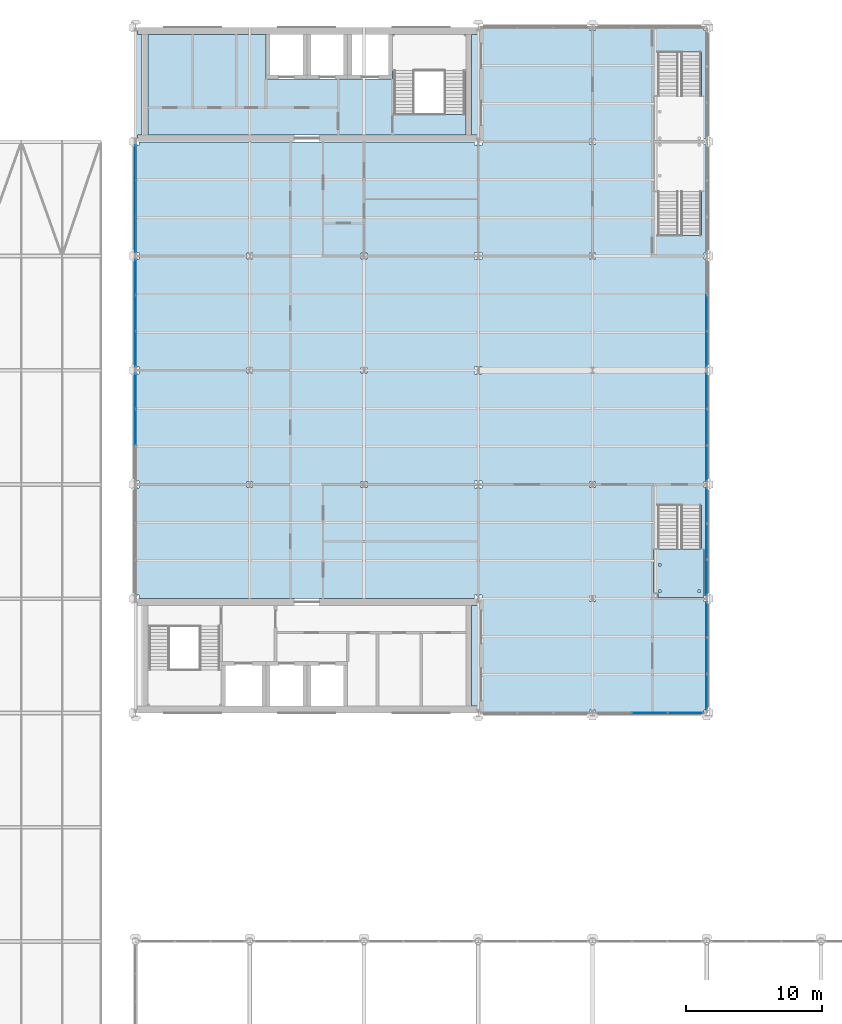
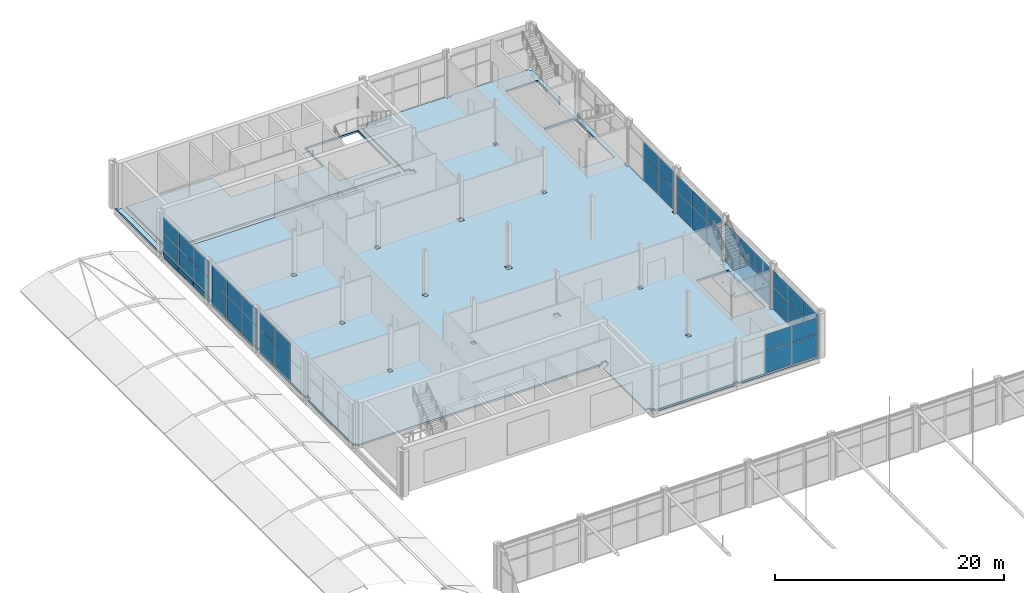
# One storey, part 148 of 167: 45 plates, 4 slabs, 10 elements without a shape of their own.
"""IFC4 building model written with IfcOpenShell, lengths in metres."""

from ifc_helpers import new_model, si_unit, direction, frame, origin, origin_2d, place, context, subcontext, project, spatial, polyline, rectangle, outline, extrude, material, layer, layer_set, type_object, element, aggregate, save


model = new_model("IFC4")

# Units and contexts
model_context = context("Model", 3, precision=1e-05, world=origin(), true_north=direction((0.0, 1.0)))
body_context = subcontext(model_context, "Body", "Model", "MODEL_VIEW")
ifc_project = project(units=[si_unit("LENGTHUNIT", "METRE"), si_unit("AREAUNIT", "SQUARE_METRE"), si_unit("VOLUMEUNIT", "CUBIC_METRE"), si_unit("PLANEANGLEUNIT", "RADIAN"), si_unit("MASSUNIT", "GRAM", prefix="KILO")], contexts=[model_context])

# Site, building, storey
site_placement = place(None, origin())
site = spatial("IfcSite", under=ifc_project, at=site_placement, CompositionType="ELEMENT")
building_placement = place(site_placement, origin())
building = spatial("IfcBuilding", under=site, at=building_placement, Name="Catenary Quay Ferry Terminal", CompositionType="ELEMENT")
storey_placement = place(building_placement, frame((0.0, 0.0, 6.0)))
storey = spatial("IfcBuildingStorey", under=building, at=storey_placement, Name="L01", CompositionType="ELEMENT", Elevation=6.0)

# Slabs
ifc_material_1 = material(Name="Concrete C35/45", Category="concrete")
ifc_layer_1 = layer(ifc_material_1, 0.199951171875)
ifc_layer_set_1 = layer_set([ifc_layer_1], Name="Composite floor slab 200")
slab_type_1 = type_object("IfcSlabType", Name="Composite floor slab 200", PredefinedType="FLOOR", material=ifc_layer_set_1)
slab_1_placement = place(storey_placement, frame((0.0, 0.0, -0.199951171875)))
element("IfcSlab", 1, at=slab_1_placement, inside=storey, type_object=slab_type_1, Name="L01 podium floor slab", PredefinedType="FLOOR", context=body_context, shape_type="SweptSolid", body=[
    extrude(outline(polyline([(67.199951171875, 159.81005859375), (66.989990234375, 159.81005859375), (66.989990234375, 159.60009765625), (59.010009765625, 159.60009765625), (59.010009765625, 159.81005859375), (58.590087890625, 159.81005859375), (58.590087890625, 159.60009765625), (50.659912109375, 159.60009765625), (50.659912109375, 159.860107421875), (50.403076171875, 159.860107421875), (50.403076171875, 160.110107421875), (49.909912109375, 160.110107421875), (49.909912109375, 167.489990234375), (50.403076171875, 167.489990234375), (50.403076171875, 167.739990234375), (50.659912109375, 167.739990234375), (50.659912109375, 168.260009765625), (50.139892578125, 168.260009765625), (50.139892578125, 168.010009765625), (25.4599609375, 168.010009765625), (25.4599609375, 168.260009765625), (25.199951171875, 168.260009765625), (25.199951171875, 176.139892578125), (25.4599609375, 176.139892578125), (25.4599609375, 176.659912109375), (25.199951171875, 176.659912109375), (25.199951171875, 184.5400390625), (25.4599609375, 184.5400390625), (25.4599609375, 185.06005859375), (25.199951171875, 185.06005859375), (25.199951171875, 192.93994140625), (25.4599609375, 192.93994140625), (25.4599609375, 193.4599609375), (25.199951171875, 193.4599609375), (25.199951171875, 201.340087890625), (25.4599609375, 201.340087890625), (25.4599609375, 201.590087890625), (50.139892578125, 201.590087890625), (50.139892578125, 201.340087890625), (50.659912109375, 201.340087890625), (50.659912109375, 201.860107421875), (50.403076171875, 201.860107421875), (50.403076171875, 202.110107421875), (49.909912109375, 202.110107421875), (49.909912109375, 209.489990234375), (50.403076171875, 209.489990234375), (50.403076171875, 209.739990234375), (50.659912109375, 209.739990234375), (50.659912109375, 210.0), (58.590087890625, 210.0), (58.590087890625, 209.7900390625), (59.010009765625, 209.7900390625), (59.010009765625, 210.0), (66.989990234375, 210.0), (66.989990234375, 209.7900390625), (67.199951171875, 209.7900390625), (67.199951171875, 201.81005859375), (66.989990234375, 201.81005859375), (66.989990234375, 201.389892578125), (67.199951171875, 201.389892578125), (67.199951171875, 193.409912109375), (66.989990234375, 193.409912109375), (66.989990234375, 192.989990234375), (67.199951171875, 192.989990234375), (67.199951171875, 185.010009765625), (66.989990234375, 185.010009765625), (66.989990234375, 184.590087890625), (67.199951171875, 184.590087890625), (67.199951171875, 176.610107421875), (66.989990234375, 176.610107421875), (66.989990234375, 176.18994140625), (67.199951171875, 176.18994140625), (67.199951171875, 168.2099609375), (66.989990234375, 168.2099609375), (66.989990234375, 167.7900390625), (67.199951171875, 167.7900390625), (67.199951171875, 159.81005859375)]), holes=[polyline([(33.386474609375, 176.1865234375), (33.8134765625, 176.1865234375), (33.8134765625, 176.613525390625), (33.386474609375, 176.613525390625), (33.386474609375, 176.1865234375)]), polyline([(33.386474609375, 184.58642578125), (33.8134765625, 184.58642578125), (33.8134765625, 185.013427734375), (33.386474609375, 185.013427734375), (33.386474609375, 184.58642578125)]), polyline([(33.386474609375, 192.986572265625), (33.8134765625, 192.986572265625), (33.8134765625, 193.41357421875), (33.386474609375, 193.41357421875), (33.386474609375, 192.986572265625)]), polyline([(41.78662109375, 176.1865234375), (42.21337890625, 176.1865234375), (42.21337890625, 176.613525390625), (41.78662109375, 176.613525390625), (41.78662109375, 176.1865234375)]), polyline([(50.139892578125, 176.139892578125), (50.659912109375, 176.139892578125), (50.659912109375, 176.659912109375), (50.139892578125, 176.659912109375), (50.139892578125, 176.139892578125)]), polyline([(50.139892578125, 184.5400390625), (50.659912109375, 184.5400390625), (50.659912109375, 185.06005859375), (50.139892578125, 185.06005859375), (50.139892578125, 184.5400390625)]), polyline([(41.78662109375, 184.58642578125), (42.21337890625, 184.58642578125), (42.21337890625, 185.013427734375), (41.78662109375, 185.013427734375), (41.78662109375, 184.58642578125)]), polyline([(42.21337890625, 192.986572265625), (42.21337890625, 193.41357421875), (41.78662109375, 193.41357421875), (41.78662109375, 192.986572265625), (42.21337890625, 192.986572265625)]), polyline([(50.139892578125, 192.93994140625), (50.659912109375, 192.93994140625), (50.659912109375, 193.4599609375), (50.139892578125, 193.4599609375), (50.139892578125, 192.93994140625)]), polyline([(58.590087890625, 201.389892578125), (59.010009765625, 201.389892578125), (59.010009765625, 201.81005859375), (58.590087890625, 201.81005859375), (58.590087890625, 201.389892578125)]), polyline([(58.590087890625, 167.7900390625), (59.010009765625, 167.7900390625), (59.010009765625, 168.2099609375), (58.590087890625, 168.2099609375), (58.590087890625, 167.7900390625)]), polyline([(63.60009765625, 168.39990234375), (66.800048828125, 168.39990234375), (66.800048828125, 174.89990234375), (63.60009765625, 174.89990234375), (63.60009765625, 168.39990234375)]), polyline([(58.590087890625, 176.18994140625), (59.010009765625, 176.18994140625), (59.010009765625, 176.610107421875), (58.590087890625, 176.610107421875), (58.590087890625, 176.18994140625)]), polyline([(58.590087890625, 192.989990234375), (59.010009765625, 192.989990234375), (59.010009765625, 193.409912109375), (58.590087890625, 193.409912109375), (58.590087890625, 192.989990234375)]), polyline([(63.60009765625, 194.699951171875), (66.800048828125, 194.699951171875), (66.800048828125, 201.5), (63.60009765625, 201.5), (63.60009765625, 194.699951171875)]), polyline([(63.60009765625, 201.699951171875), (66.800048828125, 201.699951171875), (66.800048828125, 208.199951171875), (63.60009765625, 208.199951171875), (63.60009765625, 201.699951171875)])]), origin(), (0.0, 0.0, 1.0), 0.199951171875),
])
slab_2_placement = place(storey_placement, frame((0.0, 0.0, -0.199951171875)))
element("IfcSlab", 2, at=slab_2_placement, inside=storey, type_object=slab_type_1, Name="L01 podium floor slab", PredefinedType="FLOOR", context=body_context, shape_type="SweptSolid", body=[
    extrude(outline(polyline([(25.199951171875, 209.739990234375), (25.340087890625, 209.739990234375), (25.340087890625, 209.489990234375), (25.68994140625, 209.489990234375), (25.68994140625, 202.110107421875), (25.340087890625, 202.110107421875), (25.340087890625, 201.860107421875), (25.199951171875, 201.860107421875), (25.199951171875, 209.739990234375)])), origin(), (0.0, 0.0, 1.0), 0.199951171875),
])
slab_3_placement = place(storey_placement, frame((0.0, 0.0, -0.199951171875)))
element("IfcSlab", 3, at=slab_3_placement, inside=storey, type_object=slab_type_1, Name="L01 podium floor slab", PredefinedType="FLOOR", context=body_context, shape_type="SweptSolid", body=[
    extrude(outline(polyline([(49.489990234375, 209.489990234375), (49.489990234375, 202.110107421875), (26.110107421875, 202.110107421875), (26.110107421875, 209.489990234375), (34.800048828125, 209.489990234375), (34.800048828125, 206.199951171875), (37.800048828125, 206.199951171875), (40.800048828125, 206.199951171875), (44.10009765625, 206.199951171875), (44.10009765625, 209.489990234375), (49.489990234375, 209.489990234375)]), holes=[polyline([(44.199951171875, 203.60009765625), (49.39990234375, 203.60009765625), (49.39990234375, 209.39990234375), (44.199951171875, 209.39990234375), (44.199951171875, 203.60009765625)])]), origin(), (0.0, 0.0, 1.0), 0.199951171875),
])

# Curtain wall, plates
ifc_material_2 = material(Name="Aluminium and glass", Category="aluminium")
curtain_wall_type_1 = type_object("IfcCurtainWallType", Name="CWW2", PredefinedType="NOTDEFINED", material=ifc_material_2)
curtain_wall_1_placement = place(storey_placement, origin())
curtain_wall_1 = element("IfcCurtainWall", 4, at=curtain_wall_1_placement, inside=storey, type_object=curtain_wall_type_1, Name="Wing curtain wall CW116", PredefinedType="NOTDEFINED")
ifc_material_3 = material(Name="Glass", Category="glass")
ifc_layer_2 = layer(ifc_material_3, 0.035888671875)
ifc_layer_set_2 = layer_set([ifc_layer_2], Name="PN4")
plate_type_1 = type_object("IfcPlateType", Name="PN4", PredefinedType="CURTAIN_PANEL", material=ifc_layer_set_2)
plate_1_placement = place(storey_placement, frame((67.199951171875, 161.15087890625, 0.06005859375), z_axis=(0.0, 0.0, 1.0), x_axis=(0.0, 1.0, 0.0)))
plate_1 = element("IfcPlate", 5, at=plate_1_placement, type_object=plate_type_1, Name="CW116 panel 1.1", PredefinedType="CURTAIN_PANEL", context=body_context, shape_type="SweptSolid", body=[
    extrude(rectangle(XDim=2.561767578125, YDim=0.035888671875, at=origin_2d()), origin(), (0.0, 0.0, 1.0), 2.31005859375),
])
plate_2_placement = place(storey_placement, frame((67.199951171875, 161.15087890625, 2.429931640625), z_axis=(0.0, 0.0, 1.0), x_axis=(0.0, 1.0, 0.0)))
plate_2 = element("IfcPlate", 6, at=plate_2_placement, type_object=plate_type_1, Name="CW116 panel 1.2", PredefinedType="CURTAIN_PANEL", context=body_context, shape_type="SweptSolid", body=[
    extrude(rectangle(XDim=2.561767578125, YDim=0.035888671875, at=origin_2d()), origin(), (0.0, 0.0, 1.0), 1.7099609375),
])
plate_3_placement = place(storey_placement, frame((67.199951171875, 163.800048828125, 0.06005859375), z_axis=(0.0, 0.0, 1.0), x_axis=(0.0, 1.0, 0.0)))
plate_3 = element("IfcPlate", 7, at=plate_3_placement, type_object=plate_type_1, Name="CW116 panel 2.1", PredefinedType="CURTAIN_PANEL", context=body_context, shape_type="SweptSolid", body=[
    extrude(rectangle(XDim=2.5966796875, YDim=0.035888671875, at=origin_2d()), origin(), (0.0, 0.0, 1.0), 2.31005859375),
])
plate_4_placement = place(storey_placement, frame((67.199951171875, 163.800048828125, 2.429931640625), z_axis=(0.0, 0.0, 1.0), x_axis=(0.0, 1.0, 0.0)))
plate_4 = element("IfcPlate", 8, at=plate_4_placement, type_object=plate_type_1, Name="CW116 panel 2.2", PredefinedType="CURTAIN_PANEL", context=body_context, shape_type="SweptSolid", body=[
    extrude(rectangle(XDim=2.5966796875, YDim=0.035888671875, at=origin_2d()), origin(), (0.0, 0.0, 1.0), 1.7099609375),
])
plate_5_placement = place(storey_placement, frame((67.199951171875, 166.44921875, 0.06005859375), z_axis=(0.0, 0.0, 1.0), x_axis=(0.0, 1.0, 0.0)))
plate_5 = element("IfcPlate", 9, at=plate_5_placement, type_object=plate_type_1, Name="CW116 panel 3.1", PredefinedType="CURTAIN_PANEL", context=body_context, shape_type="SweptSolid", body=[
    extrude(rectangle(XDim=2.561767578125, YDim=0.035888671875, at=origin_2d()), origin(), (0.0, 0.0, 1.0), 2.31005859375),
])
plate_6_placement = place(storey_placement, frame((67.199951171875, 166.44921875, 2.429931640625), z_axis=(0.0, 0.0, 1.0), x_axis=(0.0, 1.0, 0.0)))
plate_6 = element("IfcPlate", 10, at=plate_6_placement, type_object=plate_type_1, Name="CW116 panel 3.2", PredefinedType="CURTAIN_PANEL", context=body_context, shape_type="SweptSolid", body=[
    extrude(rectangle(XDim=2.561767578125, YDim=0.035888671875, at=origin_2d()), origin(), (0.0, 0.0, 1.0), 1.7099609375),
])
aggregate(curtain_wall_1, [plate_1, plate_2, plate_3, plate_4, plate_5, plate_6])

curtain_wall_2_placement = place(storey_placement, origin())
curtain_wall_2 = element("IfcCurtainWall", 11, at=curtain_wall_2_placement, inside=storey, type_object=curtain_wall_type_1, Name="Wing curtain wall CW117", PredefinedType="NOTDEFINED")
plate_7_placement = place(storey_placement, frame((67.199951171875, 169.55078125, 0.06005859375), z_axis=(0.0, 0.0, 1.0), x_axis=(0.0, 1.0, 0.0)))
plate_7 = element("IfcPlate", 12, at=plate_7_placement, type_object=plate_type_1, Name="CW117 panel 1.1", PredefinedType="CURTAIN_PANEL", context=body_context, shape_type="SweptSolid", body=[
    extrude(rectangle(XDim=2.561767578125, YDim=0.035888671875, at=origin_2d()), origin(), (0.0, 0.0, 1.0), 2.31005859375),
])
plate_8_placement = place(storey_placement, frame((67.199951171875, 169.55078125, 2.429931640625), z_axis=(0.0, 0.0, 1.0), x_axis=(0.0, 1.0, 0.0)))
plate_8 = element("IfcPlate", 13, at=plate_8_placement, type_object=plate_type_1, Name="CW117 panel 1.2", PredefinedType="CURTAIN_PANEL", context=body_context, shape_type="SweptSolid", body=[
    extrude(rectangle(XDim=2.561767578125, YDim=0.035888671875, at=origin_2d()), origin(), (0.0, 0.0, 1.0), 1.7099609375),
])
plate_9_placement = place(storey_placement, frame((67.199951171875, 172.199951171875, 0.06005859375), z_axis=(0.0, 0.0, 1.0), x_axis=(0.0, 1.0, 0.0)))
plate_9 = element("IfcPlate", 14, at=plate_9_placement, type_object=plate_type_1, Name="CW117 panel 2.1", PredefinedType="CURTAIN_PANEL", context=body_context, shape_type="SweptSolid", body=[
    extrude(rectangle(XDim=2.5966796875, YDim=0.035888671875, at=origin_2d()), origin(), (0.0, 0.0, 1.0), 2.31005859375),
])
plate_10_placement = place(storey_placement, frame((67.199951171875, 172.199951171875, 2.429931640625), z_axis=(0.0, 0.0, 1.0), x_axis=(0.0, 1.0, 0.0)))
plate_10 = element("IfcPlate", 15, at=plate_10_placement, type_object=plate_type_1, Name="CW117 panel 2.2", PredefinedType="CURTAIN_PANEL", context=body_context, shape_type="SweptSolid", body=[
    extrude(rectangle(XDim=2.5966796875, YDim=0.035888671875, at=origin_2d()), origin(), (0.0, 0.0, 1.0), 1.7099609375),
])
plate_11_placement = place(storey_placement, frame((67.199951171875, 174.84912109375, 0.06005859375), z_axis=(0.0, 0.0, 1.0), x_axis=(0.0, 1.0, 0.0)))
plate_11 = element("IfcPlate", 16, at=plate_11_placement, type_object=plate_type_1, Name="CW117 panel 3.1", PredefinedType="CURTAIN_PANEL", context=body_context, shape_type="SweptSolid", body=[
    extrude(rectangle(XDim=2.561767578125, YDim=0.035888671875, at=origin_2d()), origin(), (0.0, 0.0, 1.0), 2.31005859375),
])
plate_12_placement = place(storey_placement, frame((67.199951171875, 174.84912109375, 2.429931640625), z_axis=(0.0, 0.0, 1.0), x_axis=(0.0, 1.0, 0.0)))
plate_12 = element("IfcPlate", 17, at=plate_12_placement, type_object=plate_type_1, Name="CW117 panel 3.2", PredefinedType="CURTAIN_PANEL", context=body_context, shape_type="SweptSolid", body=[
    extrude(rectangle(XDim=2.561767578125, YDim=0.035888671875, at=origin_2d()), origin(), (0.0, 0.0, 1.0), 1.7099609375),
])
aggregate(curtain_wall_2, [plate_7, plate_8, plate_9, plate_10, plate_11, plate_12])

curtain_wall_3_placement = place(storey_placement, origin())
curtain_wall_3 = element("IfcCurtainWall", 18, at=curtain_wall_3_placement, inside=storey, type_object=curtain_wall_type_1, Name="Wing curtain wall CW118", PredefinedType="NOTDEFINED")
plate_13_placement = place(storey_placement, frame((67.199951171875, 177.950927734375, 0.06005859375), z_axis=(0.0, 0.0, 1.0), x_axis=(0.0, 1.0, 0.0)))
plate_13 = element("IfcPlate", 19, at=plate_13_placement, type_object=plate_type_1, Name="CW118 panel 1.1", PredefinedType="CURTAIN_PANEL", context=body_context, shape_type="SweptSolid", body=[
    extrude(rectangle(XDim=2.561767578125, YDim=0.035888671875, at=origin_2d()), origin(), (0.0, 0.0, 1.0), 2.31005859375),
])
plate_14_placement = place(storey_placement, frame((67.199951171875, 177.950927734375, 2.429931640625), z_axis=(0.0, 0.0, 1.0), x_axis=(0.0, 1.0, 0.0)))
plate_14 = element("IfcPlate", 20, at=plate_14_placement, type_object=plate_type_1, Name="CW118 panel 1.2", PredefinedType="CURTAIN_PANEL", context=body_context, shape_type="SweptSolid", body=[
    extrude(rectangle(XDim=2.561767578125, YDim=0.035888671875, at=origin_2d()), origin(), (0.0, 0.0, 1.0), 1.7099609375),
])
plate_15_placement = place(storey_placement, frame((67.199951171875, 180.60009765625, 0.06005859375), z_axis=(0.0, 0.0, 1.0), x_axis=(0.0, 1.0, 0.0)))
plate_15 = element("IfcPlate", 21, at=plate_15_placement, type_object=plate_type_1, Name="CW118 panel 2.1", PredefinedType="CURTAIN_PANEL", context=body_context, shape_type="SweptSolid", body=[
    extrude(rectangle(XDim=2.5966796875, YDim=0.035888671875, at=origin_2d()), origin(), (0.0, 0.0, 1.0), 2.31005859375),
])
plate_16_placement = place(storey_placement, frame((67.199951171875, 180.60009765625, 2.429931640625), z_axis=(0.0, 0.0, 1.0), x_axis=(0.0, 1.0, 0.0)))
plate_16 = element("IfcPlate", 22, at=plate_16_placement, type_object=plate_type_1, Name="CW118 panel 2.2", PredefinedType="CURTAIN_PANEL", context=body_context, shape_type="SweptSolid", body=[
    extrude(rectangle(XDim=2.5966796875, YDim=0.035888671875, at=origin_2d()), origin(), (0.0, 0.0, 1.0), 1.7099609375),
])
plate_17_placement = place(storey_placement, frame((67.199951171875, 183.249267578125, 0.06005859375), z_axis=(0.0, 0.0, 1.0), x_axis=(0.0, 1.0, 0.0)))
plate_17 = element("IfcPlate", 23, at=plate_17_placement, type_object=plate_type_1, Name="CW118 panel 3.1", PredefinedType="CURTAIN_PANEL", context=body_context, shape_type="SweptSolid", body=[
    extrude(rectangle(XDim=2.561767578125, YDim=0.035888671875, at=origin_2d()), origin(), (0.0, 0.0, 1.0), 2.31005859375),
])
plate_18_placement = place(storey_placement, frame((67.199951171875, 183.249267578125, 2.429931640625), z_axis=(0.0, 0.0, 1.0), x_axis=(0.0, 1.0, 0.0)))
plate_18 = element("IfcPlate", 24, at=plate_18_placement, type_object=plate_type_1, Name="CW118 panel 3.2", PredefinedType="CURTAIN_PANEL", context=body_context, shape_type="SweptSolid", body=[
    extrude(rectangle(XDim=2.561767578125, YDim=0.035888671875, at=origin_2d()), origin(), (0.0, 0.0, 1.0), 1.7099609375),
])
aggregate(curtain_wall_3, [plate_13, plate_14, plate_15, plate_16, plate_17, plate_18])

curtain_wall_4_placement = place(storey_placement, origin())
curtain_wall_4 = element("IfcCurtainWall", 25, at=curtain_wall_4_placement, inside=storey, type_object=curtain_wall_type_1, Name="Wing curtain wall CW119", PredefinedType="NOTDEFINED")
plate_19_placement = place(storey_placement, frame((67.199951171875, 186.350830078125, 0.06005859375), z_axis=(0.0, 0.0, 1.0), x_axis=(0.0, 1.0, 0.0)))
plate_19 = element("IfcPlate", 26, at=plate_19_placement, type_object=plate_type_1, Name="CW119 panel 1.1", PredefinedType="CURTAIN_PANEL", context=body_context, shape_type="SweptSolid", body=[
    extrude(rectangle(XDim=2.561767578125, YDim=0.035888671875, at=origin_2d()), origin(), (0.0, 0.0, 1.0), 2.31005859375),
])
plate_20_placement = place(storey_placement, frame((67.199951171875, 186.350830078125, 2.429931640625), z_axis=(0.0, 0.0, 1.0), x_axis=(0.0, 1.0, 0.0)))
plate_20 = element("IfcPlate", 27, at=plate_20_placement, type_object=plate_type_1, Name="CW119 panel 1.2", PredefinedType="CURTAIN_PANEL", context=body_context, shape_type="SweptSolid", body=[
    extrude(rectangle(XDim=2.561767578125, YDim=0.035888671875, at=origin_2d()), origin(), (0.0, 0.0, 1.0), 1.7099609375),
])
plate_21_placement = place(storey_placement, frame((67.199951171875, 189.0, 0.06005859375), z_axis=(0.0, 0.0, 1.0), x_axis=(0.0, 1.0, 0.0)))
plate_21 = element("IfcPlate", 28, at=plate_21_placement, type_object=plate_type_1, Name="CW119 panel 2.1", PredefinedType="CURTAIN_PANEL", context=body_context, shape_type="SweptSolid", body=[
    extrude(rectangle(XDim=2.5966796875, YDim=0.035888671875, at=origin_2d()), origin(), (0.0, 0.0, 1.0), 2.31005859375),
])
plate_22_placement = place(storey_placement, frame((67.199951171875, 189.0, 2.429931640625), z_axis=(0.0, 0.0, 1.0), x_axis=(0.0, 1.0, 0.0)))
plate_22 = element("IfcPlate", 29, at=plate_22_placement, type_object=plate_type_1, Name="CW119 panel 2.2", PredefinedType="CURTAIN_PANEL", context=body_context, shape_type="SweptSolid", body=[
    extrude(rectangle(XDim=2.5966796875, YDim=0.035888671875, at=origin_2d()), origin(), (0.0, 0.0, 1.0), 1.7099609375),
])
aggregate(curtain_wall_4, [plate_19, plate_20, plate_21, plate_22])

curtain_wall_5_placement = place(storey_placement, origin())
curtain_wall_5 = element("IfcCurtainWall", 30, at=curtain_wall_5_placement, inside=storey, type_object=curtain_wall_type_1, Name="Wing curtain wall CW125", PredefinedType="NOTDEFINED")
plate_23_placement = place(storey_placement, frame((25.199951171875, 180.60009765625, 0.06005859375), z_axis=(0.0, 0.0, 1.0), x_axis=(0.0, 1.0, 0.0)))
plate_23 = element("IfcPlate", 31, at=plate_23_placement, type_object=plate_type_1, Name="CW125 panel 2.1", PredefinedType="CURTAIN_PANEL", context=body_context, shape_type="SweptSolid", body=[
    extrude(rectangle(XDim=2.5966796875, YDim=0.035888671875, at=origin_2d()), origin(), (0.0, 0.0, 1.0), 2.31005859375),
])
plate_24_placement = place(storey_placement, frame((25.199951171875, 180.60009765625, 2.429931640625), z_axis=(0.0, 0.0, 1.0), x_axis=(0.0, 1.0, 0.0)))
plate_24 = element("IfcPlate", 32, at=plate_24_placement, type_object=plate_type_1, Name="CW125 panel 2.2", PredefinedType="CURTAIN_PANEL", context=body_context, shape_type="SweptSolid", body=[
    extrude(rectangle(XDim=2.5966796875, YDim=0.035888671875, at=origin_2d()), origin(), (0.0, 0.0, 1.0), 1.7099609375),
])
plate_25_placement = place(storey_placement, frame((25.199951171875, 183.249267578125, 0.06005859375), z_axis=(0.0, 0.0, 1.0), x_axis=(0.0, 1.0, 0.0)))
plate_25 = element("IfcPlate", 33, at=plate_25_placement, type_object=plate_type_1, Name="CW125 panel 3.1", PredefinedType="CURTAIN_PANEL", context=body_context, shape_type="SweptSolid", body=[
    extrude(rectangle(XDim=2.561767578125, YDim=0.035888671875, at=origin_2d()), origin(), (0.0, 0.0, 1.0), 2.31005859375),
])
plate_26_placement = place(storey_placement, frame((25.199951171875, 183.249267578125, 2.429931640625), z_axis=(0.0, 0.0, 1.0), x_axis=(0.0, 1.0, 0.0)))
plate_26 = element("IfcPlate", 34, at=plate_26_placement, type_object=plate_type_1, Name="CW125 panel 3.2", PredefinedType="CURTAIN_PANEL", context=body_context, shape_type="SweptSolid", body=[
    extrude(rectangle(XDim=2.561767578125, YDim=0.035888671875, at=origin_2d()), origin(), (0.0, 0.0, 1.0), 1.7099609375),
])
aggregate(curtain_wall_5, [plate_23, plate_24, plate_25, plate_26])

curtain_wall_6_placement = place(storey_placement, origin())
curtain_wall_6 = element("IfcCurtainWall", 35, at=curtain_wall_6_placement, inside=storey, type_object=curtain_wall_type_1, Name="Wing curtain wall CW126", PredefinedType="NOTDEFINED")
plate_27_placement = place(storey_placement, frame((25.199951171875, 186.350830078125, 0.06005859375), z_axis=(0.0, 0.0, 1.0), x_axis=(0.0, 1.0, 0.0)))
plate_27 = element("IfcPlate", 36, at=plate_27_placement, type_object=plate_type_1, Name="CW126 panel 1.1", PredefinedType="CURTAIN_PANEL", context=body_context, shape_type="SweptSolid", body=[
    extrude(rectangle(XDim=2.561767578125, YDim=0.035888671875, at=origin_2d()), origin(), (0.0, 0.0, 1.0), 2.31005859375),
])
plate_28_placement = place(storey_placement, frame((25.199951171875, 186.350830078125, 2.429931640625), z_axis=(0.0, 0.0, 1.0), x_axis=(0.0, 1.0, 0.0)))
plate_28 = element("IfcPlate", 37, at=plate_28_placement, type_object=plate_type_1, Name="CW126 panel 1.2", PredefinedType="CURTAIN_PANEL", context=body_context, shape_type="SweptSolid", body=[
    extrude(rectangle(XDim=2.561767578125, YDim=0.035888671875, at=origin_2d()), origin(), (0.0, 0.0, 1.0), 1.7099609375),
])
plate_29_placement = place(storey_placement, frame((25.199951171875, 189.0, 0.06005859375), z_axis=(0.0, 0.0, 1.0), x_axis=(0.0, 1.0, 0.0)))
plate_29 = element("IfcPlate", 38, at=plate_29_placement, type_object=plate_type_1, Name="CW126 panel 2.1", PredefinedType="CURTAIN_PANEL", context=body_context, shape_type="SweptSolid", body=[
    extrude(rectangle(XDim=2.5966796875, YDim=0.035888671875, at=origin_2d()), origin(), (0.0, 0.0, 1.0), 2.31005859375),
])
plate_30_placement = place(storey_placement, frame((25.199951171875, 189.0, 2.429931640625), z_axis=(0.0, 0.0, 1.0), x_axis=(0.0, 1.0, 0.0)))
plate_30 = element("IfcPlate", 39, at=plate_30_placement, type_object=plate_type_1, Name="CW126 panel 2.2", PredefinedType="CURTAIN_PANEL", context=body_context, shape_type="SweptSolid", body=[
    extrude(rectangle(XDim=2.5966796875, YDim=0.035888671875, at=origin_2d()), origin(), (0.0, 0.0, 1.0), 1.7099609375),
])
plate_31_placement = place(storey_placement, frame((25.199951171875, 191.649169921875, 0.06005859375), z_axis=(0.0, 0.0, 1.0), x_axis=(0.0, 1.0, 0.0)))
plate_31 = element("IfcPlate", 40, at=plate_31_placement, type_object=plate_type_1, Name="CW126 panel 3.1", PredefinedType="CURTAIN_PANEL", context=body_context, shape_type="SweptSolid", body=[
    extrude(rectangle(XDim=2.561767578125, YDim=0.035888671875, at=origin_2d()), origin(), (0.0, 0.0, 1.0), 2.31005859375),
])
plate_32_placement = place(storey_placement, frame((25.199951171875, 191.649169921875, 2.429931640625), z_axis=(0.0, 0.0, 1.0), x_axis=(0.0, 1.0, 0.0)))
plate_32 = element("IfcPlate", 41, at=plate_32_placement, type_object=plate_type_1, Name="CW126 panel 3.2", PredefinedType="CURTAIN_PANEL", context=body_context, shape_type="SweptSolid", body=[
    extrude(rectangle(XDim=2.561767578125, YDim=0.035888671875, at=origin_2d()), origin(), (0.0, 0.0, 1.0), 1.7099609375),
])
aggregate(curtain_wall_6, [plate_27, plate_28, plate_29, plate_30, plate_31, plate_32])

curtain_wall_7_placement = place(storey_placement, origin())
curtain_wall_7 = element("IfcCurtainWall", 42, at=curtain_wall_7_placement, inside=storey, type_object=curtain_wall_type_1, Name="Wing curtain wall CW127", PredefinedType="NOTDEFINED")
plate_33_placement = place(storey_placement, frame((25.199951171875, 194.750732421875, 0.659912109375), z_axis=(0.0, 0.0, 1.0), x_axis=(0.0, 1.0, 0.0)))
plate_33 = element("IfcPlate", 43, at=plate_33_placement, type_object=plate_type_1, Name="CW127 panel 1.1", PredefinedType="CURTAIN_PANEL", context=body_context, shape_type="SweptSolid", body=[
    extrude(rectangle(XDim=2.561767578125, YDim=0.035888671875, at=origin_2d()), origin(), (0.0, 0.0, 1.0), 1.7099609375),
])
plate_34_placement = place(storey_placement, frame((25.199951171875, 194.750732421875, 2.429931640625), z_axis=(0.0, 0.0, 1.0), x_axis=(0.0, 1.0, 0.0)))
plate_34 = element("IfcPlate", 44, at=plate_34_placement, type_object=plate_type_1, Name="CW127 panel 1.2", PredefinedType="CURTAIN_PANEL", context=body_context, shape_type="SweptSolid", body=[
    extrude(rectangle(XDim=2.561767578125, YDim=0.035888671875, at=origin_2d()), origin(), (0.0, 0.0, 1.0), 1.7099609375),
])
plate_35_placement = place(storey_placement, frame((25.199951171875, 197.39990234375, 0.659912109375), z_axis=(0.0, 0.0, 1.0), x_axis=(0.0, 1.0, 0.0)))
plate_35 = element("IfcPlate", 45, at=plate_35_placement, type_object=plate_type_1, Name="CW127 panel 2.1", PredefinedType="CURTAIN_PANEL", context=body_context, shape_type="SweptSolid", body=[
    extrude(rectangle(XDim=2.5966796875, YDim=0.035888671875, at=origin_2d()), origin(), (0.0, 0.0, 1.0), 1.7099609375),
])
plate_36_placement = place(storey_placement, frame((25.199951171875, 197.39990234375, 2.429931640625), z_axis=(0.0, 0.0, 1.0), x_axis=(0.0, 1.0, 0.0)))
plate_36 = element("IfcPlate", 46, at=plate_36_placement, type_object=plate_type_1, Name="CW127 panel 2.2", PredefinedType="CURTAIN_PANEL", context=body_context, shape_type="SweptSolid", body=[
    extrude(rectangle(XDim=2.5966796875, YDim=0.035888671875, at=origin_2d()), origin(), (0.0, 0.0, 1.0), 1.7099609375),
])
plate_37_placement = place(storey_placement, frame((25.199951171875, 200.049072265625, 0.659912109375), z_axis=(0.0, 0.0, 1.0), x_axis=(0.0, 1.0, 0.0)))
plate_37 = element("IfcPlate", 47, at=plate_37_placement, type_object=plate_type_1, Name="CW127 panel 3.1", PredefinedType="CURTAIN_PANEL", context=body_context, shape_type="SweptSolid", body=[
    extrude(rectangle(XDim=2.561767578125, YDim=0.035888671875, at=origin_2d()), origin(), (0.0, 0.0, 1.0), 1.7099609375),
])
plate_38_placement = place(storey_placement, frame((25.199951171875, 200.049072265625, 2.429931640625), z_axis=(0.0, 0.0, 1.0), x_axis=(0.0, 1.0, 0.0)))
plate_38 = element("IfcPlate", 48, at=plate_38_placement, type_object=plate_type_1, Name="CW127 panel 3.2", PredefinedType="CURTAIN_PANEL", context=body_context, shape_type="SweptSolid", body=[
    extrude(rectangle(XDim=2.561767578125, YDim=0.035888671875, at=origin_2d()), origin(), (0.0, 0.0, 1.0), 1.7099609375),
])
aggregate(curtain_wall_7, [plate_33, plate_34, plate_35, plate_36, plate_37, plate_38])

curtain_wall_8_placement = place(storey_placement, origin())
curtain_wall_8 = element("IfcCurtainWall", 49, at=curtain_wall_8_placement, inside=storey, type_object=curtain_wall_type_1, Name="Wing curtain wall CW129", PredefinedType="NOTDEFINED")
plate_39_placement = place(storey_placement, frame((63.0, 159.60009765625, 0.06005859375), z_axis=(0.0, 0.0, 1.0), x_axis=(1.0, 0.0, 0.0)))
plate_39 = element("IfcPlate", 50, at=plate_39_placement, type_object=plate_type_1, Name="CW129 panel 2.1", PredefinedType="CURTAIN_PANEL", context=body_context, shape_type="SweptSolid", body=[
    extrude(rectangle(XDim=2.5966796875, YDim=0.035888671875, at=origin_2d()), origin(), (0.0, 0.0, 1.0), 2.31005859375),
])
plate_40_placement = place(storey_placement, frame((63.0, 159.60009765625, 2.429931640625), z_axis=(0.0, 0.0, 1.0), x_axis=(1.0, 0.0, 0.0)))
plate_40 = element("IfcPlate", 51, at=plate_40_placement, type_object=plate_type_1, Name="CW129 panel 2.2", PredefinedType="CURTAIN_PANEL", context=body_context, shape_type="SweptSolid", body=[
    extrude(rectangle(XDim=2.5966796875, YDim=0.035888671875, at=origin_2d()), origin(), (0.0, 0.0, 1.0), 1.7099609375),
])
plate_41_placement = place(storey_placement, frame((65.649169921875, 159.60009765625, 0.06005859375), z_axis=(0.0, 0.0, 1.0), x_axis=(1.0, 0.0, 0.0)))
plate_41 = element("IfcPlate", 52, at=plate_41_placement, type_object=plate_type_1, Name="CW129 panel 3.1", PredefinedType="CURTAIN_PANEL", context=body_context, shape_type="SweptSolid", body=[
    extrude(rectangle(XDim=2.561767578125, YDim=0.035888671875, at=origin_2d()), origin(), (0.0, 0.0, 1.0), 2.31005859375),
])
plate_42_placement = place(storey_placement, frame((65.649169921875, 159.60009765625, 2.429931640625), z_axis=(0.0, 0.0, 1.0), x_axis=(1.0, 0.0, 0.0)))
plate_42 = element("IfcPlate", 53, at=plate_42_placement, type_object=plate_type_1, Name="CW129 panel 3.2", PredefinedType="CURTAIN_PANEL", context=body_context, shape_type="SweptSolid", body=[
    extrude(rectangle(XDim=2.561767578125, YDim=0.035888671875, at=origin_2d()), origin(), (0.0, 0.0, 1.0), 1.7099609375),
])
aggregate(curtain_wall_8, [plate_39, plate_40, plate_41, plate_42])

ifc_material_4 = material(Name="Aluminium and glass", Category="aluminium")
curtain_wall_type_2 = type_object("IfcCurtainWallType", Name="CWW4", PredefinedType="NOTDEFINED", material=ifc_material_4)
curtain_wall_9_placement = place(storey_placement, origin())
curtain_wall_9 = element("IfcCurtainWall", 54, at=curtain_wall_9_placement, inside=storey, type_object=curtain_wall_type_2, Name="Wing base curtain wall CW174", PredefinedType="NOTDEFINED")
ifc_material_5 = material(Name="Ceramic tile facing on insulated backing")
ifc_layer_3 = layer(ifc_material_5, 0.14990234375)
ifc_layer_set_3 = layer_set([ifc_layer_3], Name="PN7")
plate_type_2 = type_object("IfcPlateType", Name="PN7", PredefinedType="CURTAIN_PANEL", material=ifc_layer_set_3)
plate_43_placement = place(storey_placement, frame((25.199951171875, 194.750732421875, 0.06005859375), z_axis=(0.0, 0.0, 1.0), x_axis=(0.0, 1.0, 0.0)))
plate_43 = element("IfcPlate", 55, at=plate_43_placement, type_object=plate_type_2, Name="CW174 panel 1.1", PredefinedType="CURTAIN_PANEL", context=body_context, shape_type="SweptSolid", body=[
    extrude(rectangle(XDim=2.561767578125, YDim=0.14990234375, at=origin_2d()), origin(), (0.0, 0.0, 1.0), 0.419921875),
])
plate_44_placement = place(storey_placement, frame((25.199951171875, 197.39990234375, 0.06005859375), z_axis=(0.0, 0.0, 1.0), x_axis=(0.0, 1.0, 0.0)))
plate_44 = element("IfcPlate", 56, at=plate_44_placement, type_object=plate_type_2, Name="CW174 panel 2.1", PredefinedType="CURTAIN_PANEL", context=body_context, shape_type="SweptSolid", body=[
    extrude(rectangle(XDim=2.5966796875, YDim=0.14990234375, at=origin_2d()), origin(), (0.0, 0.0, 1.0), 0.419921875),
])
plate_45_placement = place(storey_placement, frame((25.199951171875, 200.049072265625, 0.06005859375), z_axis=(0.0, 0.0, 1.0), x_axis=(0.0, 1.0, 0.0)))
plate_45 = element("IfcPlate", 57, at=plate_45_placement, type_object=plate_type_2, Name="CW174 panel 3.1", PredefinedType="CURTAIN_PANEL", context=body_context, shape_type="SweptSolid", body=[
    extrude(rectangle(XDim=2.561767578125, YDim=0.14990234375, at=origin_2d()), origin(), (0.0, 0.0, 1.0), 0.419921875),
])
aggregate(curtain_wall_9, [plate_43, plate_44, plate_45])

# Stair, slab
ifc_material_6 = material(Name="Concrete C35/45", Category="concrete")
stair_type = type_object("IfcStairType", Name="STX1500", PredefinedType="HALF_TURN_STAIR", material=ifc_material_6)
stair_placement = place(storey_placement, origin())
stair = element("IfcStair", 58, at=stair_placement, inside=storey, type_object=stair_type, Name="Stair HS3 L01 to L02", PredefinedType="HALF_TURN_STAIR")
ifc_material_7 = material(Name="Concrete C35/45", Category="concrete")
ifc_layer_4 = layer(ifc_material_7, 0.199951171875)
ifc_layer_set_4 = layer_set([ifc_layer_4], Name="SLX1500")
slab_type_2 = type_object("IfcSlabType", Name="SLX1500", PredefinedType="LANDING", material=ifc_layer_set_4)
slab_4_placement = place(storey_placement, frame((0.0, 0.0, 2.199951171875)))
slab_4 = element("IfcSlab", 59, at=slab_4_placement, type_object=slab_type_2, Name="HS3-L01 landing 1", PredefinedType="LANDING", context=body_context, shape_type="SweptSolid", body=[
    extrude(outline(polyline([(63.60009765625, 168.39990234375), (63.300048828125, 168.39990234375), (63.300048828125, 171.64990234375), (67.0, 171.64990234375), (67.0, 168.10009765625), (63.60009765625, 168.10009765625), (63.60009765625, 168.39990234375)]), holes=[polyline([(63.670166015625, 168.47021484375), (63.829833984375, 168.47021484375), (63.829833984375, 168.6298828125), (63.670166015625, 168.6298828125), (63.670166015625, 168.47021484375)]), polyline([(66.570068359375, 168.47021484375), (66.729736328125, 168.47021484375), (66.729736328125, 168.6298828125), (66.570068359375, 168.6298828125), (66.570068359375, 168.47021484375)]), polyline([(63.670166015625, 170.420166015625), (63.829833984375, 170.420166015625), (63.829833984375, 170.579833984375), (63.670166015625, 170.579833984375), (63.670166015625, 170.420166015625)])]), origin(), (0.0, 0.0, 1.0), 0.199951171875),
])
aggregate(stair, [slab_4])

save(model, "model.ifc")
